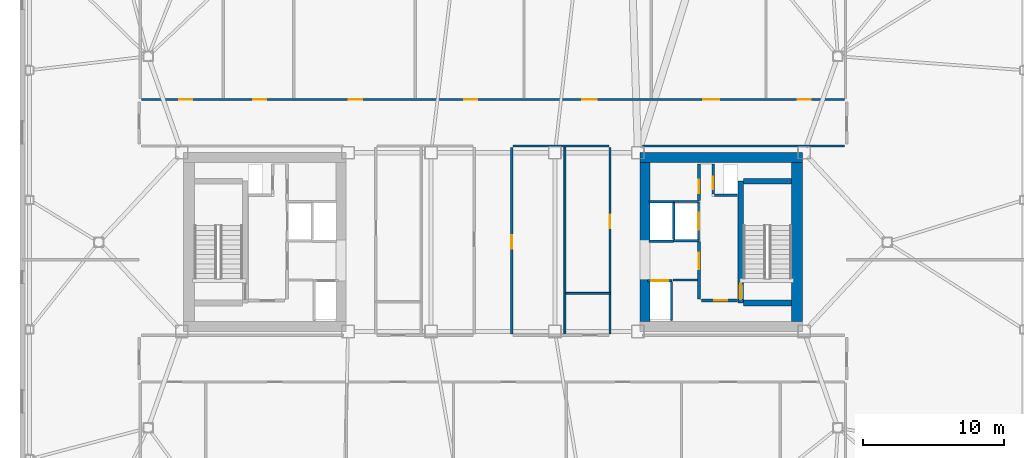
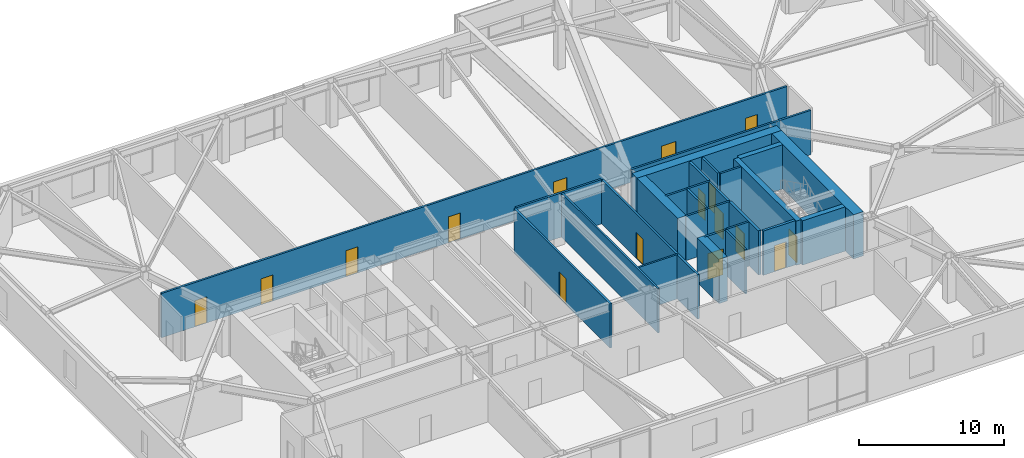
# One storey, part 14 of 20: 28 walls, 16 doors, 16 openings.
"""IFC4 building model written with IfcOpenShell, lengths in metres."""

from ifc_helpers import new_model, si_unit, direction, frame, frame_2d, origin, place, context, subcontext, project, spatial, rectangle, extrude, material, layer, layer_set, type_object, element, fill, save


model = new_model("IFC4")

# Units and contexts
model_context = context("Model", 3, precision=1e-05, world=origin(), true_north=direction((0.0, 1.0)))
body_context = subcontext(model_context, "Body", "Model", "MODEL_VIEW")
ifc_project = project(units=[si_unit("LENGTHUNIT", "METRE"), si_unit("AREAUNIT", "SQUARE_METRE"), si_unit("VOLUMEUNIT", "CUBIC_METRE"), si_unit("PLANEANGLEUNIT", "RADIAN"), si_unit("MASSUNIT", "GRAM", prefix="KILO")], contexts=[model_context])

# Site, building, storey
site_placement = place(None, origin())
site = spatial("IfcSite", under=ifc_project, at=site_placement, CompositionType="ELEMENT")
building_placement = place(site_placement, origin())
building = spatial("IfcBuilding", under=site, at=building_placement, Name="Tavrogorsk Clinical Tower", CompositionType="ELEMENT")
storey_placement = place(building_placement, frame((0.0, 0.0, 176.199951171875)))
storey = spatial("IfcBuildingStorey", under=building, at=storey_placement, Name="L40", CompositionType="ELEMENT", Elevation=176.199951171875)

# Wall, opening, door
ifc_material_1 = material(Name="Concrete B60", Category="concrete")
ifc_layer_1 = layer(ifc_material_1, 0.199951171875)
ifc_layer_set_1 = layer_set([ifc_layer_1], Name="Concrete B60")
wall_type_1 = type_object("IfcWallType", Name="CoreFireWall_200", PredefinedType="SOLIDWALL", material=ifc_layer_set_1)
wall_1_placement = place(storey_placement, frame((14.824951171875, -4.139892578125, 0.0), z_axis=(0.0, 0.0, 1.0), x_axis=(1.0, 0.0, 0.0)))
wall_1 = element("IfcWall", 1, at=wall_1_placement, inside=storey, type_object=wall_type_1, Name="L40 Core East South Core Room Fire Wall", PredefinedType="SOLIDWALL", context=body_context, shape_type="SweptSolid", body=[
    extrude(rectangle(XDim=2.554931640625, YDim=0.199951171875, at=frame_2d((1.27734375, 0.0))), origin(), (0.0, 0.0, 1.0), 3.739990234375),
])
opening_1_placement = place(wall_1_placement, frame((0.8798828125, 0.0, 0.0)))
opening_1 = element("IfcOpeningElement", 2, at=opening_1_placement, cuts=wall_1, Name="Opening ID-02", PredefinedType="OPENING", context=body_context, shape_type="SweptSolid", body=[
    extrude(rectangle(XDim=0.949951171875, YDim=2.199951171875, at=frame_2d((0.47509765625, 1.10009765625))), frame((0.0, 0.10986328125, 0.0), z_axis=(0.0, -1.0, 0.0), x_axis=(1.0, 0.0, 0.0)), (0.0, 0.0, 1.0), 0.219970703125),
])
ifc_material_2 = material(Name="Laminated timber leaf on aluminium frame", Category="wood")
door_type_1 = type_object("IfcDoorType", Name="InteriorDoor_ID02_950", OperationType="NOTDEFINED", PredefinedType="DOOR", material=ifc_material_2)
door_1_placement = place(opening_1_placement, origin())
door_1 = element("IfcDoor", 3, at=door_1_placement, inside=storey, type_object=door_type_1, Name="L40 Core East South Core Room Door", OperationType="SINGLE_SWING_RIGHT", OverallHeight=2.199951171875, OverallWidth=0.949951171875, PredefinedType="DOOR", context=body_context, shape_type="SweptSolid", body=[
    extrude(rectangle(XDim=0.949951171875, YDim=2.199951171875, at=frame_2d((0.47509765625, 1.10009765625))), frame((0.0, 0.02490234375, 0.0), z_axis=(0.0, -1.0, 0.0), x_axis=(1.0, 0.0, 0.0)), (0.0, 0.0, 1.0), 0.050048828125),
])
fill(opening_1, door_1)

wall_2_placement = place(storey_placement, frame((14.639892578125, 2.9599609375, 0.0), z_axis=(0.0, 0.0, 1.0), x_axis=(0.0, 1.0, 0.0)))
wall_2 = element("IfcWall", 4, at=wall_2_placement, inside=storey, type_object=wall_type_1, Name="L40 Core East North Core Room East Wall", PredefinedType="SOLIDWALL", context=body_context, shape_type="SweptSolid", body=[
    extrude(rectangle(XDim=2.60009765625, YDim=0.199951171875, at=frame_2d((1.300048828125, 0.0))), origin(), (0.0, 0.0, 1.0), 3.739990234375),
])
opening_2_placement = place(wall_2_placement, frame((0.52001953125, 0.0, 0.0)))
opening_2 = element("IfcOpeningElement", 5, at=opening_2_placement, cuts=wall_2, Name="Opening ID-02", PredefinedType="OPENING", context=body_context, shape_type="SweptSolid", body=[
    extrude(rectangle(XDim=0.949951171875, YDim=2.199951171875, at=frame_2d((0.47509765625, 1.10009765625))), frame((0.0, 0.10986328125, 0.0), z_axis=(0.0, -1.0, 0.0), x_axis=(1.0, 0.0, 0.0)), (0.0, 0.0, 1.0), 0.219970703125),
])
door_2_placement = place(opening_2_placement, origin())
door_2 = element("IfcDoor", 6, at=door_2_placement, inside=storey, type_object=door_type_1, Name="L40 Core East Core Telemetry Room Door", OperationType="SINGLE_SWING_LEFT", OverallHeight=2.199951171875, OverallWidth=0.949951171875, PredefinedType="DOOR", context=body_context, shape_type="SweptSolid", body=[
    extrude(rectangle(XDim=0.949951171875, YDim=2.199951171875, at=frame_2d((0.47509765625, 1.10009765625))), frame((0.0, 0.02490234375, 0.0), z_axis=(0.0, -1.0, 0.0), x_axis=(1.0, 0.0, 0.0)), (0.0, 0.0, 1.0), 0.050048828125),
])
fill(opening_2, door_2)

wall_3_placement = place(storey_placement, frame((14.639892578125, -4.034912109375, 0.0), z_axis=(0.0, 0.0, 1.0), x_axis=(0.0, 1.0, 0.0)))
wall_3 = element("IfcWall", 7, at=wall_3_placement, inside=storey, type_object=wall_type_1, Name="L40 Core East Firefighting Lobby Fire Wall", PredefinedType="SOLIDWALL", context=body_context, shape_type="SweptSolid", body=[
    extrude(rectangle(XDim=4.074951171875, YDim=0.199951171875, at=frame_2d((2.03759765625, 0.0))), origin(), (0.0, 0.0, 1.0), 3.739990234375),
])
opening_3_placement = place(wall_3_placement, frame((2.090087890625, 0.0, 0.0)))
opening_3 = element("IfcOpeningElement", 8, at=opening_3_placement, cuts=wall_3, Name="Opening FD-01", PredefinedType="OPENING", context=body_context, shape_type="SweptSolid", body=[
    extrude(rectangle(XDim=1.199951171875, YDim=2.199951171875, at=frame_2d((0.60009765625, 1.10009765625))), frame((0.0, 0.10986328125, 0.0), z_axis=(0.0, -1.0, 0.0), x_axis=(1.0, 0.0, 0.0)), (0.0, 0.0, 1.0), 0.219970703125),
])
ifc_material_3 = material(Name="Galvanised steel fire-rated door assembly", Category="steel")
door_type_2 = type_object("IfcDoorType", Name="FireDoor_FD01_1200", OperationType="NOTDEFINED", PredefinedType="DOOR", material=ifc_material_3)
door_3_placement = place(opening_3_placement, origin())
door_3 = element("IfcDoor", 9, at=door_3_placement, inside=storey, type_object=door_type_2, Name="L40 Core East Firefighting Lobby Entry Door", OperationType="SINGLE_SWING_RIGHT", OverallHeight=2.199951171875, OverallWidth=1.199951171875, PredefinedType="DOOR", context=body_context, shape_type="SweptSolid", body=[
    extrude(rectangle(XDim=1.199951171875, YDim=2.199951171875, at=frame_2d((0.60009765625, 1.10009765625))), frame((0.0, 0.02490234375, 0.0), z_axis=(0.0, -1.0, 0.0), x_axis=(1.0, 0.0, 0.0)), (0.0, 0.0, 1.0), 0.050048828125),
])
fill(opening_3, door_3)

# Walls
ifc_material_4 = material(Name="Lightweight concrete blockwork B15", Category="masonry")
ifc_layer_2 = layer(ifc_material_4, 0.139892578125)
ifc_layer_set_2 = layer_set([ifc_layer_2], Name="Lightweight concrete blockwork B15")
wall_type_2 = type_object("IfcWallType", Name="PartitionWall_140", PredefinedType="PARTITIONING", material=ifc_layer_set_2)
wall_4_placement = place(storey_placement, frame((5.10009765625, -6.614990234375, 0.0), z_axis=(0.0, 0.0, 1.0), x_axis=(0.0, 1.0, 0.0)))
element("IfcWall", 10, at=wall_4_placement, inside=storey, type_object=wall_type_2, Name="L40 Central Spine Partition 2", PredefinedType="PARTITIONING", context=body_context, shape_type="SweptSolid", body=[
    extrude(rectangle(XDim=13.429931640625, YDim=0.139892578125, at=frame_2d((6.71484375, 0.0))), origin(), (0.0, 0.0, 1.0), 3.739990234375),
])
wall_5_placement = place(storey_placement, frame((5.175048828125, -3.64990234375, 0.0), z_axis=(0.0, 0.0, 1.0), x_axis=(1.0, 0.0, 0.0)))
element("IfcWall", 11, at=wall_5_placement, inside=storey, type_object=wall_type_2, Name="L40 Central Spine Partition 4", PredefinedType="PARTITIONING", context=body_context, shape_type="SweptSolid", body=[
    extrude(rectangle(XDim=3.139892578125, YDim=0.139892578125, at=frame_2d((1.56982421875, 0.0))), origin(), (0.0, 0.0, 1.0), 3.739990234375),
])
ifc_material_5 = material(Name="Lightweight concrete blockwork B15", Category="masonry")
ifc_layer_3 = layer(ifc_material_5, 0.159912109375)
ifc_layer_set_3 = layer_set([ifc_layer_3], Name="Lightweight concrete blockwork B15")
wall_type_3 = type_object("IfcWallType", Name="PartitionWall_160", PredefinedType="PARTITIONING", material=ifc_layer_set_3)
wall_6_placement = place(storey_placement, frame((12.77490234375, -2.699951171875, 0.0), z_axis=(0.0, 0.0, 1.0), x_axis=(1.0, 0.0, 0.0)))
element("IfcWall", 12, at=wall_6_placement, inside=storey, type_object=wall_type_3, Name="L40 Core East Freed Low-Bank North Partition", PredefinedType="PARTITIONING", context=body_context, shape_type="SweptSolid", body=[
    extrude(rectangle(XDim=1.760009765625, YDim=0.159912109375, at=frame_2d((0.8798828125, 0.0))), origin(), (0.0, 0.0, 1.0), 3.739990234375),
])

# Wall, openings, doors
wall_7_placement = place(storey_placement, frame((-24.965087890625, 10.1298828125, 0.0), z_axis=(0.0, 0.0, 1.0), x_axis=(1.0, 0.0, 0.0)))
wall_7 = element("IfcWall", 13, at=wall_7_placement, inside=storey, type_object=wall_type_3, Name="L40 Corridor Partition 05", PredefinedType="PARTITIONING", context=body_context, shape_type="SweptSolid", body=[
    extrude(rectangle(XDim=49.93017578125, YDim=0.159912109375, at=frame_2d((24.965087890625, 0.0))), origin(), (0.0, 0.0, 1.0), 3.739990234375),
])
opening_4_placement = place(wall_7_placement, frame((2.66650390625, 0.0, 0.0)))
opening_4 = element("IfcOpeningElement", 14, at=opening_4_placement, cuts=wall_7, Name="Opening ID-02", PredefinedType="OPENING", context=body_context, shape_type="SweptSolid", body=[
    extrude(rectangle(XDim=0.949951171875, YDim=2.199951171875, at=frame_2d((0.47509765625, 1.10009765625))), frame((0.0, 0.08984375, 0.0), z_axis=(0.0, -1.0, 0.0), x_axis=(1.0, 0.0, 0.0)), (0.0, 0.0, 1.0), 0.179931640625),
])
opening_5_placement = place(wall_7_placement, frame((7.91748046875, 0.0, 0.0)))
opening_5 = element("IfcOpeningElement", 15, at=opening_5_placement, cuts=wall_7, Name="Opening ID-02", PredefinedType="OPENING", context=body_context, shape_type="SweptSolid", body=[
    extrude(rectangle(XDim=0.949951171875, YDim=2.199951171875, at=frame_2d((0.47509765625, 1.10009765625))), frame((0.0, 0.08984375, 0.0), z_axis=(0.0, -1.0, 0.0), x_axis=(1.0, 0.0, 0.0)), (0.0, 0.0, 1.0), 0.179931640625),
])
opening_6_placement = place(wall_7_placement, frame((14.72998046875, 0.0, 0.0)))
opening_6 = element("IfcOpeningElement", 16, at=opening_6_placement, cuts=wall_7, Name="Opening ID-02", PredefinedType="OPENING", context=body_context, shape_type="SweptSolid", body=[
    extrude(rectangle(XDim=0.949951171875, YDim=2.199951171875, at=frame_2d((0.47509765625, 1.10009765625))), frame((0.0, 0.08984375, 0.0), z_axis=(0.0, -1.0, 0.0), x_axis=(1.0, 0.0, 0.0)), (0.0, 0.0, 1.0), 0.179931640625),
])
opening_7_placement = place(wall_7_placement, frame((22.909912109375, 0.0, 0.0)))
opening_7 = element("IfcOpeningElement", 17, at=opening_7_placement, cuts=wall_7, Name="Opening ID-02", PredefinedType="OPENING", context=body_context, shape_type="SweptSolid", body=[
    extrude(rectangle(XDim=0.949951171875, YDim=2.199951171875, at=frame_2d((0.47509765625, 1.10009765625))), frame((0.0, 0.08984375, 0.0), z_axis=(0.0, -1.0, 0.0), x_axis=(1.0, 0.0, 0.0)), (0.0, 0.0, 1.0), 0.179931640625),
])
opening_8_placement = place(wall_7_placement, frame((31.300048828125, 0.0, 0.0)))
opening_8 = element("IfcOpeningElement", 18, at=opening_8_placement, cuts=wall_7, Name="Opening ID-04", PredefinedType="OPENING", context=body_context, shape_type="SweptSolid", body=[
    extrude(rectangle(XDim=1.050048828125, YDim=2.199951171875, at=frame_2d((0.52490234375, 1.10009765625))), frame((0.0, 0.08984375, 0.0), z_axis=(0.0, -1.0, 0.0), x_axis=(1.0, 0.0, 0.0)), (0.0, 0.0, 1.0), 0.179931640625),
])
opening_9_placement = place(wall_7_placement, frame((39.89990234375, 0.0, 0.0)))
opening_9 = element("IfcOpeningElement", 19, at=opening_9_placement, cuts=wall_7, Name="Opening ID-06", PredefinedType="OPENING", context=body_context, shape_type="SweptSolid", body=[
    extrude(rectangle(XDim=1.14990234375, YDim=2.199951171875, at=frame_2d((0.574951171875, 1.10009765625))), frame((0.0, 0.08984375, 0.0), z_axis=(0.0, -1.0, 0.0), x_axis=(1.0, 0.0, 0.0)), (0.0, 0.0, 1.0), 0.179931640625),
])
opening_10_placement = place(wall_7_placement, frame((46.60595703125, 0.0, 0.0)))
opening_10 = element("IfcOpeningElement", 20, at=opening_10_placement, cuts=wall_7, Name="Opening ID-02", PredefinedType="OPENING", context=body_context, shape_type="SweptSolid", body=[
    extrude(rectangle(XDim=0.949951171875, YDim=2.199951171875, at=frame_2d((0.47509765625, 1.10009765625))), frame((0.0, 0.08984375, 0.0), z_axis=(0.0, -1.0, 0.0), x_axis=(1.0, 0.0, 0.0)), (0.0, 0.0, 1.0), 0.179931640625),
])
ifc_material_6 = material(Name="Antibacterial HPL consultation door on aluminium frame", Category="aluminium")
door_type_3 = type_object("IfcDoorType", Name="ConsultDoor_ID04_1050", OperationType="NOTDEFINED", PredefinedType="DOOR", material=ifc_material_6)
door_4_placement = place(opening_8_placement, origin())
door_4 = element("IfcDoor", 21, at=door_4_placement, inside=storey, type_object=door_type_3, Name="L40 North Rehabilitation Case Seminar Room 03A Door", OperationType="SINGLE_SWING_LEFT", OverallHeight=2.199951171875, OverallWidth=1.050048828125, PredefinedType="DOOR", context=body_context, shape_type="SweptSolid", body=[
    extrude(rectangle(XDim=1.050048828125, YDim=2.199951171875, at=frame_2d((0.52490234375, 1.10009765625))), frame((0.0, 0.02490234375, 0.0), z_axis=(0.0, -1.0, 0.0), x_axis=(1.0, 0.0, 0.0)), (0.0, 0.0, 1.0), 0.050048828125),
])
fill(opening_8, door_4)
door_5_placement = place(opening_4_placement, origin())
door_5 = element("IfcDoor", 22, at=door_5_placement, inside=storey, type_object=door_type_1, Name="L40 North Neuro-Rehabilitation Robotics Gym 01A Door", OperationType="SINGLE_SWING_LEFT", OverallHeight=2.199951171875, OverallWidth=0.949951171875, PredefinedType="DOOR", context=body_context, shape_type="SweptSolid", body=[
    extrude(rectangle(XDim=0.949951171875, YDim=2.199951171875, at=frame_2d((0.47509765625, 1.10009765625))), frame((0.0, 0.02490234375, 0.0), z_axis=(0.0, -1.0, 0.0), x_axis=(1.0, 0.0, 0.0)), (0.0, 0.0, 1.0), 0.050048828125),
])
fill(opening_4, door_5)
door_6_placement = place(opening_5_placement, origin())
door_6 = element("IfcDoor", 23, at=door_6_placement, inside=storey, type_object=door_type_1, Name="L40 North Speech & Occupational Therapy Office 01B Door", OperationType="SINGLE_SWING_RIGHT", OverallHeight=2.199951171875, OverallWidth=0.949951171875, PredefinedType="DOOR", context=body_context, shape_type="SweptSolid", body=[
    extrude(rectangle(XDim=0.949951171875, YDim=2.199951171875, at=frame_2d((0.47509765625, 1.10009765625))), frame((0.0, 0.02490234375, 0.0), z_axis=(0.0, -1.0, 0.0), x_axis=(1.0, 0.0, 0.0)), (0.0, 0.0, 1.0), 0.050048828125),
])
fill(opening_5, door_6)
door_7_placement = place(opening_6_placement, origin())
door_7 = element("IfcDoor", 24, at=door_7_placement, inside=storey, type_object=door_type_1, Name="L40 North Patient Mobility Lounge 02A Door", OperationType="SINGLE_SWING_LEFT", OverallHeight=2.199951171875, OverallWidth=0.949951171875, PredefinedType="DOOR", context=body_context, shape_type="SweptSolid", body=[
    extrude(rectangle(XDim=0.949951171875, YDim=2.199951171875, at=frame_2d((0.47509765625, 1.10009765625))), frame((0.0, 0.02490234375, 0.0), z_axis=(0.0, -1.0, 0.0), x_axis=(1.0, 0.0, 0.0)), (0.0, 0.0, 1.0), 0.050048828125),
])
fill(opening_6, door_7)
door_8_placement = place(opening_7_placement, origin())
door_8 = element("IfcDoor", 25, at=door_8_placement, inside=storey, type_object=door_type_1, Name="L40 North Neuro-Rehabilitation Robotics Gym 02B Door", OperationType="SINGLE_SWING_RIGHT", OverallHeight=2.199951171875, OverallWidth=0.949951171875, PredefinedType="DOOR", context=body_context, shape_type="SweptSolid", body=[
    extrude(rectangle(XDim=0.949951171875, YDim=2.199951171875, at=frame_2d((0.47509765625, 1.10009765625))), frame((0.0, 0.02490234375, 0.0), z_axis=(0.0, -1.0, 0.0), x_axis=(1.0, 0.0, 0.0)), (0.0, 0.0, 1.0), 0.050048828125),
])
fill(opening_7, door_8)
door_9_placement = place(opening_10_placement, origin())
door_9 = element("IfcDoor", 26, at=door_9_placement, inside=storey, type_object=door_type_1, Name="L40 North Speech & Occupational Therapy Office 04 Door", OperationType="SINGLE_SWING_LEFT", OverallHeight=2.199951171875, OverallWidth=0.949951171875, PredefinedType="DOOR", context=body_context, shape_type="SweptSolid", body=[
    extrude(rectangle(XDim=0.949951171875, YDim=2.199951171875, at=frame_2d((0.47509765625, 1.10009765625))), frame((0.0, 0.02490234375, 0.0), z_axis=(0.0, -1.0, 0.0), x_axis=(1.0, 0.0, 0.0)), (0.0, 0.0, 1.0), 0.050048828125),
])
fill(opening_10, door_9)
ifc_material_7 = material(Name="Antibacterial HPL procedure door on aluminium frame", Category="aluminium")
door_type_4 = type_object("IfcDoorType", Name="LabDoor_ID06_1150", OperationType="NOTDEFINED", PredefinedType="DOOR", material=ifc_material_7)
door_10_placement = place(opening_9_placement, origin())
door_10 = element("IfcDoor", 27, at=door_10_placement, inside=storey, type_object=door_type_4, Name="L40 North Patient Mobility Lounge 03B Door", OperationType="SINGLE_SWING_RIGHT", OverallHeight=2.199951171875, OverallWidth=1.14990234375, PredefinedType="DOOR", context=body_context, shape_type="SweptSolid", body=[
    extrude(rectangle(XDim=1.14990234375, YDim=2.199951171875, at=frame_2d((0.574951171875, 1.10009765625))), frame((0.0, 0.02490234375, 0.0), z_axis=(0.0, -1.0, 0.0), x_axis=(1.0, 0.0, 0.0)), (0.0, 0.0, 1.0), 0.050048828125),
])
fill(opening_9, door_10)

# Walls
wall_8_placement = place(storey_placement, frame((24.965087890625, 6.820068359375, 0.0), z_axis=(0.0, 0.0, 1.0), x_axis=(-1.0, 0.0, 0.0)))
element("IfcWall", 28, at=wall_8_placement, inside=storey, type_object=wall_type_3, Name="L40 Corridor Partition 07", PredefinedType="PARTITIONING", context=body_context, shape_type="SweptSolid", body=[
    extrude(rectangle(XDim=14.335205078125, YDim=0.159912109375, at=frame_2d((7.16748046875, 0.0))), origin(), (0.0, 0.0, 1.0), 3.739990234375),
])
wall_9_placement = place(storey_placement, frame((8.235107421875, 6.820068359375, 0.0), z_axis=(0.0, 0.0, 1.0), x_axis=(-1.0, 0.0, 0.0)))
element("IfcWall", 29, at=wall_9_placement, inside=storey, type_object=wall_type_3, Name="L40 Corridor Partition 11", PredefinedType="PARTITIONING", context=body_context, shape_type="SweptSolid", body=[
    extrude(rectangle(XDim=6.820068359375, YDim=0.159912109375, at=frame_2d((3.41015625, 0.0))), origin(), (0.0, 0.0, 1.0), 3.739990234375),
])

# Wall, opening, door
wall_10_placement = place(storey_placement, frame((1.330078125, 6.735107421875, 0.0), z_axis=(0.0, 0.0, 1.0), x_axis=(0.0, -1.0, 0.0)))
wall_10 = element("IfcWall", 30, at=wall_10_placement, inside=storey, type_object=wall_type_3, Name="L40 Corridor Partition 12", PredefinedType="PARTITIONING", context=body_context, shape_type="SweptSolid", body=[
    extrude(rectangle(XDim=13.27001953125, YDim=0.159912109375, at=frame_2d((6.635009765625, 0.0))), origin(), (0.0, 0.0, 1.0), 3.739990234375),
])
opening_11_placement = place(wall_10_placement, frame((6.2451171875, 0.0, 0.0)))
opening_11 = element("IfcOpeningElement", 31, at=opening_11_placement, cuts=wall_10, Name="Opening ID-02", PredefinedType="OPENING", context=body_context, shape_type="SweptSolid", body=[
    extrude(rectangle(XDim=0.949951171875, YDim=2.199951171875, at=frame_2d((0.47509765625, 1.10009765625))), frame((0.0, 0.08984375, 0.0), z_axis=(0.0, -1.0, 0.0), x_axis=(1.0, 0.0, 0.0)), (0.0, 0.0, 1.0), 0.179931640625),
])
door_11_placement = place(opening_11_placement, origin())
door_11 = element("IfcDoor", 32, at=door_11_placement, inside=storey, type_object=door_type_1, Name="L40 Clean Medication Preparation Room Door", OperationType="SINGLE_SWING_RIGHT", OverallHeight=2.199951171875, OverallWidth=0.949951171875, PredefinedType="DOOR", context=body_context, shape_type="SweptSolid", body=[
    extrude(rectangle(XDim=0.949951171875, YDim=2.199951171875, at=frame_2d((0.47509765625, 1.10009765625))), frame((0.0, 0.02490234375, 0.0), z_axis=(0.0, -1.0, 0.0), x_axis=(1.0, 0.0, 0.0)), (0.0, 0.0, 1.0), 0.050048828125),
])
fill(opening_11, door_11)

wall_11_placement = place(storey_placement, frame((8.320068359375, -6.534912109375, 0.0), z_axis=(0.0, 0.0, 1.0), x_axis=(0.0, 1.0, 0.0)))
wall_11 = element("IfcWall", 33, at=wall_11_placement, inside=storey, type_object=wall_type_3, Name="L40 Corridor Partition 14", PredefinedType="PARTITIONING", context=body_context, shape_type="SweptSolid", body=[
    extrude(rectangle(XDim=13.27001953125, YDim=0.159912109375, at=frame_2d((6.635009765625, 0.0))), origin(), (0.0, 0.0, 1.0), 3.739990234375),
])
opening_12_placement = place(wall_11_placement, frame((7.535888671875, 0.0, 0.0)))
opening_12 = element("IfcOpeningElement", 34, at=opening_12_placement, cuts=wall_11, Name="Opening ID-02", PredefinedType="OPENING", context=body_context, shape_type="SweptSolid", body=[
    extrude(rectangle(XDim=0.949951171875, YDim=2.199951171875, at=frame_2d((0.47509765625, 1.10009765625))), frame((0.0, 0.08984375, 0.0), z_axis=(0.0, -1.0, 0.0), x_axis=(1.0, 0.0, 0.0)), (0.0, 0.0, 1.0), 0.179931640625),
])
door_12_placement = place(opening_12_placement, origin())
door_12 = element("IfcDoor", 35, at=door_12_placement, inside=storey, type_object=door_type_1, Name="L40 Resident Clinician Study Door", OperationType="SINGLE_SWING_RIGHT", OverallHeight=2.199951171875, OverallWidth=0.949951171875, PredefinedType="DOOR", context=body_context, shape_type="SweptSolid", body=[
    extrude(rectangle(XDim=0.949951171875, YDim=2.199951171875, at=frame_2d((0.47509765625, 1.10009765625))), frame((0.0, 0.02490234375, 0.0), z_axis=(0.0, -1.0, 0.0), x_axis=(1.0, 0.0, 0.0)), (0.0, 0.0, 1.0), 0.050048828125),
])
fill(opening_12, door_12)

ifc_material_8 = material(Name="Lightweight concrete blockwork B25", Category="masonry")
ifc_layer_4 = layer(ifc_material_8, 0.159912109375)
ifc_layer_set_4 = layer_set([ifc_layer_4], Name="Lightweight concrete blockwork B25")
wall_type_4 = type_object("IfcWallType", Name="ShaftWall_160", PredefinedType="PARTITIONING", material=ifc_layer_set_4)
wall_12_placement = place(storey_placement, frame((14.60009765625, 0.1201171875, 0.0), z_axis=(0.0, 0.0, 1.0), x_axis=(0.0, 1.0, 0.0)))
wall_12 = element("IfcWall", 36, at=wall_12_placement, inside=storey, type_object=wall_type_4, Name="L40 FFL-E Firefighting Lift Front Wall", PredefinedType="PARTITIONING", context=body_context, shape_type="SweptSolid", body=[
    extrude(rectangle(XDim=2.739990234375, YDim=0.159912109375, at=frame_2d((1.3701171875, 0.0))), origin(), (0.0, 0.0, 1.0), 3.739990234375),
])
opening_13_placement = place(wall_12_placement, frame((0.77001953125, 0.0, 0.0)))
opening_13 = element("IfcOpeningElement", 37, at=opening_13_placement, cuts=wall_12, Name="Opening LD", PredefinedType="OPENING", context=body_context, shape_type="SweptSolid", body=[
    extrude(rectangle(XDim=1.199951171875, YDim=2.199951171875, at=frame_2d((0.60009765625, 1.10009765625))), frame((0.0, 0.08984375, 0.0), z_axis=(0.0, -1.0, 0.0), x_axis=(1.0, 0.0, 0.0)), (0.0, 0.0, 1.0), 0.179931640625),
])
ifc_material_9 = material(Name="Brushed stainless steel AISI 304 sliding doors", Category="steel")
door_type_5 = type_object("IfcDoorType", Name="LiftLandingDoor_LD_1200", OperationType="SLIDING_TO_LEFT", PredefinedType="DOOR", material=ifc_material_9)
door_13_placement = place(opening_13_placement, origin())
door_13 = element("IfcDoor", 38, at=door_13_placement, inside=storey, type_object=door_type_5, Name="L40 FFL-E Sliding Lift Landing Door", OperationType="SLIDING_TO_LEFT", OverallHeight=2.199951171875, OverallWidth=1.199951171875, PredefinedType="DOOR", context=body_context, shape_type="SweptSolid", body=[
    extrude(rectangle(XDim=1.199951171875, YDim=2.199951171875, at=frame_2d((0.60009765625, 1.10009765625))), frame((0.0, 0.02490234375, 0.0), z_axis=(0.0, -1.0, 0.0), x_axis=(1.0, 0.0, 0.0)), (0.0, 0.0, 1.0), 0.050048828125),
])
fill(opening_13, door_13)

# Walls
for number, where, z_axis, x_axis, name in (
    (39, (12.840087890625, 0.10009765625, 0.0), (0.0, 0.0, 1.0), (1.0, 0.0, 0.0), "L40 FFL-E Shaft South Wall"),
    (40, (12.840087890625, 2.8798828125, 0.0), (0.0, 0.0, 1.0), (1.0, 0.0, 0.0), "L40 FFL-E Shaft North Wall"),
):
    element("IfcWall", number, at=place(storey_placement, frame(where, z_axis=z_axis, x_axis=x_axis)), inside=storey, type_object=wall_type_4, Name=name, PredefinedType="PARTITIONING", context=body_context, shape_type="SweptSolid", body=[
        extrude(rectangle(XDim=1.760009765625, YDim=0.159912109375, at=frame_2d((0.8798828125, 0.0))), origin(), (0.0, 0.0, 1.0), 3.739990234375),
    ])
wall_13_placement = place(storey_placement, frame((12.840087890625, 0.179931640625, 0.0), z_axis=(0.0, 0.0, 1.0), x_axis=(0.0, 1.0, 0.0)))
element("IfcWall", 41, at=wall_13_placement, inside=storey, type_object=wall_type_4, Name="L40 FFL-E Shaft Back Wall", PredefinedType="PARTITIONING", context=body_context, shape_type="SweptSolid", body=[
    extrude(rectangle(XDim=2.6201171875, YDim=0.159912109375, at=frame_2d((1.31005859375, 0.0))), origin(), (0.0, 0.0, 1.0), 3.739990234375),
])

# Wall, opening, door
wall_14_placement = place(storey_placement, frame((10.969970703125, -2.75, 0.0), z_axis=(0.0, 0.0, 1.0), x_axis=(1.0, 0.0, 0.0)))
wall_14 = element("IfcWall", 42, at=wall_14_placement, inside=storey, type_object=wall_type_4, Name="L40 LP-M2 Lift Shaft Portal Wall", PredefinedType="PARTITIONING", context=body_context, shape_type="SweptSolid", body=[
    extrude(rectangle(XDim=1.760009765625, YDim=0.159912109375, at=frame_2d((0.8798828125, 0.0))), origin(), (0.0, 0.0, 1.0), 3.739990234375),
])
opening_14_placement = place(wall_14_placement, frame((0.280029296875, 0.0, 0.0)))
opening_14 = element("IfcOpeningElement", 43, at=opening_14_placement, cuts=wall_14, Name="Opening LD", PredefinedType="OPENING", context=body_context, shape_type="SweptSolid", body=[
    extrude(rectangle(XDim=1.199951171875, YDim=2.199951171875, at=frame_2d((0.60009765625, 1.10009765625))), frame((0.0, 0.08984375, 0.0), z_axis=(0.0, -1.0, 0.0), x_axis=(1.0, 0.0, 0.0)), (0.0, 0.0, 1.0), 0.179931640625),
])
door_14_placement = place(opening_14_placement, origin())
door_14 = element("IfcDoor", 44, at=door_14_placement, inside=storey, type_object=door_type_5, Name="L40 LP-M2 Sliding Lift Landing Door", OperationType="SLIDING_TO_LEFT", OverallHeight=2.199951171875, OverallWidth=1.199951171875, PredefinedType="DOOR", context=body_context, shape_type="SweptSolid", body=[
    extrude(rectangle(XDim=1.199951171875, YDim=2.199951171875, at=frame_2d((0.60009765625, 1.10009765625))), frame((0.0, 0.02490234375, 0.0), z_axis=(0.0, -1.0, 0.0), x_axis=(1.0, 0.0, 0.0)), (0.0, 0.0, 1.0), 0.050048828125),
])
fill(opening_14, door_14)

# Walls
for number, where, z_axis, x_axis, name in (
    (45, (11.10009765625, 0.06005859375, 0.0), (0.0, 0.0, 1.0), (1.0, 0.0, 0.0), "L40 LP-H2 High-Zone Lift Portal Wall"),
    (46, (11.10009765625, 2.860107421875, 0.0), (0.0, 0.0, 1.0), (1.0, 0.0, 0.0), "L40 LP-H2 High-Zone Lift Rear Wall"),
):
    element("IfcWall", number, at=place(storey_placement, frame(where, z_axis=z_axis, x_axis=x_axis)), inside=storey, type_object=wall_type_4, Name=name, PredefinedType="PARTITIONING", context=body_context, shape_type="SweptSolid", body=[
        extrude(rectangle(XDim=1.719970703125, YDim=0.159912109375, at=frame_2d((0.85986328125, 0.0))), origin(), (0.0, 0.0, 1.0), 3.739990234375),
    ])

# Wall, opening, door
wall_15_placement = place(storey_placement, frame((15.639892578125, 3.405029296875, 0.0), z_axis=(0.0, 0.0, 1.0), x_axis=(0.0, 1.0, 0.0)))
wall_15 = element("IfcWall", 47, at=wall_15_placement, inside=storey, type_object=wall_type_4, Name="L40 Core East Riser West Wall", PredefinedType="PARTITIONING", context=body_context, shape_type="SweptSolid", body=[
    extrude(rectangle(XDim=2.155029296875, YDim=0.159912109375, at=frame_2d((1.07763671875, 0.0))), origin(), (0.0, 0.0, 1.0), 3.739990234375),
])
opening_15_placement = place(wall_15_placement, frame((0.35009765625, 0.0, 0.0)))
opening_15 = element("IfcOpeningElement", 48, at=opening_15_placement, cuts=wall_15, Name="Opening FD-02", PredefinedType="OPENING", context=body_context, shape_type="SweptSolid", body=[
    extrude(rectangle(XDim=0.89990234375, YDim=2.199951171875, at=frame_2d((0.449951171875, 1.10009765625))), frame((0.0, 0.08984375, 0.0), z_axis=(0.0, -1.0, 0.0), x_axis=(1.0, 0.0, 0.0)), (0.0, 0.0, 1.0), 0.179931640625),
])
ifc_material_10 = material(Name="Galvanised steel fire-rated door assembly", Category="steel")
door_type_6 = type_object("IfcDoorType", Name="FireDoor_FD02_900", OperationType="NOTDEFINED", PredefinedType="DOOR", material=ifc_material_10)
door_15_placement = place(opening_15_placement, origin())
door_15 = element("IfcDoor", 49, at=door_15_placement, inside=storey, type_object=door_type_6, Name="L40 Core East Electrical Riser Access Door", OperationType="SINGLE_SWING_LEFT", OverallHeight=2.199951171875, OverallWidth=0.89990234375, PredefinedType="DOOR", context=body_context, shape_type="SweptSolid", body=[
    extrude(rectangle(XDim=0.89990234375, YDim=2.199951171875, at=frame_2d((0.449951171875, 1.10009765625))), frame((0.0, 0.02490234375, 0.0), z_axis=(0.0, -1.0, 0.0), x_axis=(1.0, 0.0, 0.0)), (0.0, 0.0, 1.0), 0.050048828125),
])
fill(opening_15, door_15)

# Walls
wall_16_placement = place(storey_placement, frame((15.72509765625, 3.320068359375, 0.0), z_axis=(0.0, 0.0, 1.0), x_axis=(1.0, 0.0, 0.0)))
element("IfcWall", 50, at=wall_16_placement, inside=storey, type_object=wall_type_4, Name="L40 Core East Riser South Wall", PredefinedType="PARTITIONING", context=body_context, shape_type="SweptSolid", body=[
    extrude(rectangle(XDim=1.65478515625, YDim=0.159912109375, at=frame_2d((0.827392578125, 0.0))), origin(), (0.0, 0.0, 1.0), 3.739990234375),
])
wall_17_placement = place(storey_placement, frame((12.68994140625, -5.56005859375, 0.0), z_axis=(0.0, 0.0, 1.0), x_axis=(0.0, 1.0, 0.0)))
element("IfcWall", 51, at=wall_17_placement, inside=storey, type_object=wall_type_4, Name="L40 Core East Freed Low-Bank Shaft Divider", PredefinedType="PARTITIONING", context=body_context, shape_type="SweptSolid", body=[
    extrude(rectangle(XDim=2.775146484375, YDim=0.159912109375, at=frame_2d((1.3876953125, 0.0))), origin(), (0.0, 0.0, 1.0), 3.739990234375),
])

# Wall, opening, door
ifc_material_11 = material(Name="Concrete B80", Category="concrete")
ifc_layer_5 = layer(ifc_material_11, 0.39990234375)
ifc_layer_set_5 = layer_set([ifc_layer_5], Name="Concrete B80")
wall_type_5 = type_object("IfcWallType", Name="ShearWall_400", PredefinedType="SHEAR", material=ifc_layer_set_5)
wall_18_placement = place(storey_placement, frame((17.60009765625, -4.324951171875, 0.0), z_axis=(0.0, 0.0, 1.0), x_axis=(0.0, 1.0, 0.0)))
wall_18 = element("IfcWall", 52, at=wall_18_placement, inside=storey, type_object=wall_type_5, Name="L40 Core East Stair Shaft Inner Shear Wall", PredefinedType="SHEAR", context=body_context, shape_type="SweptSolid", body=[
    extrude(rectangle(XDim=8.64990234375, YDim=0.39990234375, at=frame_2d((4.324951171875, 0.0))), origin(), (0.0, 0.0, 1.0), 3.739990234375),
])
opening_16_placement = place(wall_18_placement, frame((0.25, 0.0, 0.0)))
opening_16 = element("IfcOpeningElement", 53, at=opening_16_placement, cuts=wall_18, Name="Opening SD-01", PredefinedType="OPENING", context=body_context, shape_type="SweptSolid", body=[
    extrude(rectangle(XDim=1.10009765625, YDim=2.199951171875, at=frame_2d((0.550048828125, 1.10009765625))), frame((0.0, 0.2099609375, 0.0), z_axis=(0.0, -1.0, 0.0), x_axis=(1.0, 0.0, 0.0)), (0.0, 0.0, 1.0), 0.419921875),
])
ifc_material_12 = material(Name="Galvanised steel smoke-tight fire door assembly", Category="steel")
door_type_7 = type_object("IfcDoorType", Name="StairFireDoor_SD01_1100", OperationType="NOTDEFINED", PredefinedType="DOOR", material=ifc_material_12)
door_16_placement = place(opening_16_placement, origin())
door_16 = element("IfcDoor", 54, at=door_16_placement, inside=storey, type_object=door_type_7, Name="L40 ST-E Exit Stair Door", OperationType="SINGLE_SWING_RIGHT", OverallHeight=2.199951171875, OverallWidth=1.10009765625, PredefinedType="DOOR", context=body_context, shape_type="SweptSolid", body=[
    extrude(rectangle(XDim=1.10009765625, YDim=2.199951171875, at=frame_2d((0.550048828125, 1.10009765625))), frame((0.0, 0.02490234375, 0.0), z_axis=(0.0, -1.0, 0.0), x_axis=(1.0, 0.0, 0.0)), (0.0, 0.0, 1.0), 0.050048828125),
])
fill(opening_16, door_16)

# Walls
for number, where, z_axis, x_axis, name in (
    (55, (17.800048828125, -4.324951171875, 0.0), (0.0, 0.0, 1.0), (1.0, 0.0, 0.0), "L40 Core East Stair Shaft South Shear Wall"),
    (56, (17.800048828125, 4.324951171875, 0.0), (0.0, 0.0, 1.0), (1.0, 0.0, 0.0), "L40 Core East Stair Shaft North Shear Wall"),
):
    element("IfcWall", number, at=place(storey_placement, frame(where, z_axis=z_axis, x_axis=x_axis)), inside=storey, type_object=wall_type_5, Name=name, PredefinedType="SHEAR", context=body_context, shape_type="SweptSolid", body=[
        extrude(rectangle(XDim=3.39990234375, YDim=0.39990234375, at=frame_2d((1.699951171875, 0.0))), origin(), (0.0, 0.0, 1.0), 3.739990234375),
    ])
ifc_material_13 = material(Name="Concrete B80", Category="concrete")
ifc_layer_6 = layer(ifc_material_13, 0.699951171875)
ifc_layer_set_6 = layer_set([ifc_layer_6], Name="Concrete B80")
wall_type_6 = type_object("IfcWallType", Name="ShearWall_700", PredefinedType="SHEAR", material=ifc_layer_set_6)
wall_19_placement = place(storey_placement, frame((10.449951171875, 6.0, 0.0), z_axis=(0.0, 0.0, 1.0), x_axis=(1.0, 0.0, 0.0)))
element("IfcWall", 57, at=wall_19_placement, inside=storey, type_object=wall_type_6, Name="L40 Core East North Shear Wall", PredefinedType="SHEAR", context=body_context, shape_type="SweptSolid", body=[
    extrude(rectangle(XDim=11.550048828125, YDim=0.699951171875, at=frame_2d((5.77490234375, 0.0))), origin(), (0.0, 0.0, 1.0), 3.739990234375),
])
wall_20_placement = place(storey_placement, frame((10.800048828125, -5.64990234375, 0.0), z_axis=(0.0, 0.0, 1.0), x_axis=(0.0, 1.0, 0.0)))
element("IfcWall", 58, at=wall_20_placement, inside=storey, type_object=wall_type_6, Name="L40 Core East Inner South Pier", PredefinedType="SHEAR", context=body_context, shape_type="SweptSolid", body=[
    extrude(rectangle(XDim=3.0, YDim=0.699951171875, at=frame_2d((1.5, 0.0))), origin(), (0.0, 0.0, 1.0), 3.739990234375),
])
wall_21_placement = place(storey_placement, frame((10.800048828125, 0.050048828125, 0.0), z_axis=(0.0, 0.0, 1.0), x_axis=(0.0, 1.0, 0.0)))
element("IfcWall", 59, at=wall_21_placement, inside=storey, type_object=wall_type_6, Name="L40 Core East Inner North Pier", PredefinedType="SHEAR", context=body_context, shape_type="SweptSolid", body=[
    extrude(rectangle(XDim=5.599853515625, YDim=0.699951171875, at=frame_2d((2.7998046875, 0.0))), origin(), (0.0, 0.0, 1.0), 3.739990234375),
])
ifc_material_14 = material(Name="Concrete B80", Category="concrete")
ifc_layer_7 = layer(ifc_material_14, 0.800048828125)
ifc_layer_set_7 = layer_set([ifc_layer_7], Name="Concrete B80")
wall_type_7 = type_object("IfcWallType", Name="ShearWall_800", PredefinedType="SHEAR", material=ifc_layer_set_7)
wall_22_placement = place(storey_placement, frame((21.60009765625, -5.64990234375, 0.0), z_axis=(0.0, 0.0, 1.0), x_axis=(0.0, 1.0, 0.0)))
element("IfcWall", 60, at=wall_22_placement, inside=storey, type_object=wall_type_7, Name="L40 Core East End Shear Wall", PredefinedType="SHEAR", context=body_context, shape_type="SweptSolid", body=[
    extrude(rectangle(XDim=11.2998046875, YDim=0.800048828125, at=frame_2d((5.64990234375, 0.0))), origin(), (0.0, 0.0, 1.0), 3.739990234375),
])

save(model, "model.ifc")
